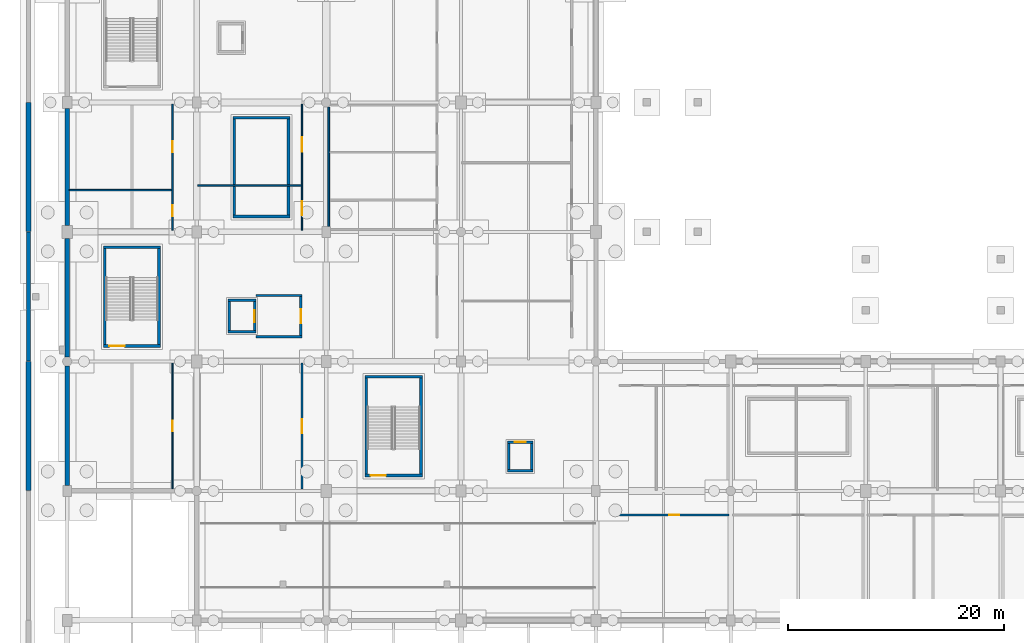
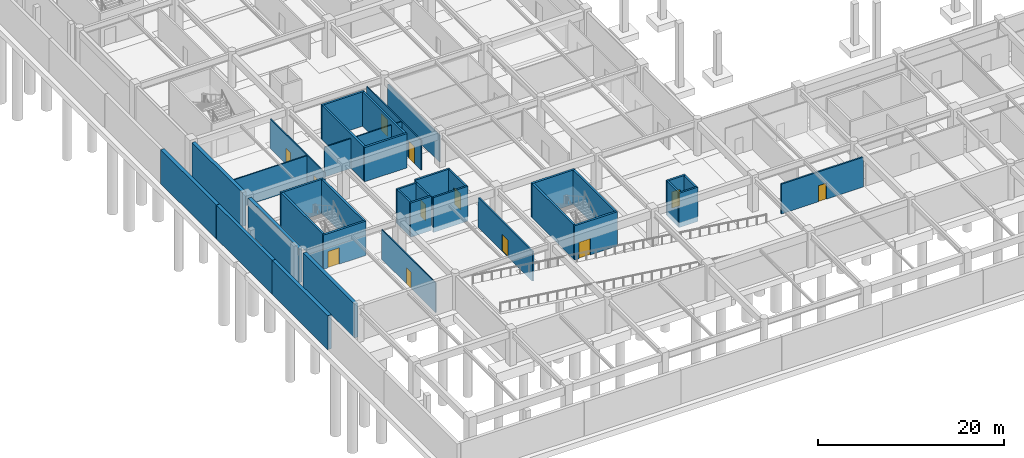
# One storey, part 23 of 56: 37 walls, 12 doors, 12 openings.
"""IFC4 building model written with IfcOpenShell, lengths in metres."""

from ifc_helpers import new_model, si_unit, direction, frame, frame_2d, origin, place, context, subcontext, project, spatial, rectangle, extrude, material, layer, layer_set, type_object, element, fill, save


model = new_model("IFC4")

# Units and contexts
model_context = context("Model", 3, precision=1e-05, world=origin(), true_north=direction((0.0, 1.0)))
body_context = subcontext(model_context, "Body", "Model", "MODEL_VIEW")
ifc_project = project(units=[si_unit("LENGTHUNIT", "METRE"), si_unit("AREAUNIT", "SQUARE_METRE"), si_unit("VOLUMEUNIT", "CUBIC_METRE"), si_unit("PLANEANGLEUNIT", "RADIAN"), si_unit("MASSUNIT", "GRAM", prefix="KILO")], contexts=[model_context])

# Site, building, storey
site_placement = place(None, origin())
site = spatial("IfcSite", under=ifc_project, at=site_placement, CompositionType="ELEMENT")
building_placement = place(site_placement, origin())
building = spatial("IfcBuilding", under=site, at=building_placement, Name="Kazenohara Klinker Stadium", CompositionType="ELEMENT")
storey_placement = place(building_placement, frame((0.0, 0.0, -4.800048828125)))
storey = spatial("IfcBuildingStorey", under=building, at=storey_placement, Name="B01", CompositionType="ELEMENT", Elevation=-4.800048828125)

# Walls
ifc_material_1 = material(Name="Concrete C40/50", Category="concrete")
ifc_layer_1 = layer(ifc_material_1, 0.39990234375)
ifc_layer_set_1 = layer_set([ifc_layer_1], Name="Concrete C40/50")
wall_type_1 = type_object("IfcWallType", Name="WAL-B01-PLINTH400", PredefinedType="USERDEFINED", material=ifc_layer_set_1)
wall_1_placement = place(storey_placement, frame((-3.580078125, 36.02001953125, 0.0), z_axis=(0.0, 0.0, 1.0), x_axis=(0.0, 1.0, 0.0)))
element("IfcWall", 1, at=wall_1_placement, inside=storey, type_object=wall_type_1, Name="Street plinth retaining wall RW04 West-04", ObjectType="RETAINING WALL", PredefinedType="USERDEFINED", context=body_context, shape_type="SweptSolid", body=[
    extrude(rectangle(XDim=11.9599609375, YDim=0.39990234375, at=frame_2d((5.97998046875, 0.0))), origin(), (0.0, 0.0, 1.0), 4.4599609375),
])
ifc_layer_2 = layer(ifc_material_1, 0.43994140625)
ifc_layer_set_2 = layer_set([ifc_layer_2], Name="Concrete C40/50")
wall_type_2 = type_object("IfcWallType", Name="WAL-B01-PLINTH440", PredefinedType="USERDEFINED", material=ifc_layer_set_2)
for number, where, z_axis, x_axis, name in (
    (2, (-3.580078125, 24.02001953125, 0.0), (0.0, 0.0, 1.0), (0.0, 1.0, 0.0), "Street plinth retaining wall RW03 West-03"),
    (3, (-3.580078125, 48.02001953125, 0.0), (0.0, 0.0, 1.0), (0.0, 1.0, 0.0), "Street plinth retaining wall RW03 West-05"),
):
    element("IfcWall", number, at=place(storey_placement, frame(where, z_axis=z_axis, x_axis=x_axis)), inside=storey, type_object=wall_type_2, Name=name, ObjectType="RETAINING WALL", PredefinedType="USERDEFINED", context=body_context, shape_type="SweptSolid", body=[
        extrude(rectangle(XDim=11.9599609375, YDim=0.43994140625, at=frame_2d((5.97998046875, 0.0))), origin(), (0.0, 0.0, 1.0), 4.4599609375),
    ])
ifc_layer_3 = layer(ifc_material_1, 0.3798828125)
ifc_layer_set_3 = layer_set([ifc_layer_3], Name="Concrete C40/50")
wall_type_3 = type_object("IfcWallType", Name="WAL-B01-RET380", PredefinedType="STANDARD", material=ifc_layer_set_3)
wall_2_placement = place(storey_placement, frame((0.0, 36.428955078125, 0.0), z_axis=(0.0, 0.0, 1.0), x_axis=(0.0, 1.0, 0.0)))
element("IfcWall", 4, at=wall_2_placement, inside=storey, type_object=wall_type_3, Name="Basement perimeter retaining wall RW02 Y-00-03", PredefinedType="STANDARD", context=body_context, shape_type="SweptSolid", body=[
    extrude(rectangle(XDim=10.967041015625, YDim=0.3798828125, at=frame_2d((5.4833984375, 0.0))), origin(), (0.0, 0.0, 1.0), 4.4599609375),
])
ifc_layer_4 = layer(ifc_material_1, 0.419921875)
ifc_layer_set_4 = layer_set([ifc_layer_4], Name="Concrete C40/50")
wall_type_4 = type_object("IfcWallType", Name="WAL-B01-RET420", PredefinedType="STANDARD", material=ifc_layer_set_4)
wall_3_placement = place(storey_placement, frame((0.0, 24.50390625, 0.0), z_axis=(0.0, 0.0, 1.0), x_axis=(0.0, 1.0, 0.0)))
element("IfcWall", 5, at=wall_3_placement, inside=storey, type_object=wall_type_4, Name="Basement perimeter retaining wall RW01 Y-00-02", PredefinedType="STANDARD", context=body_context, shape_type="SweptSolid", body=[
    extrude(rectangle(XDim=11.067138671875, YDim=0.419921875, at=frame_2d((5.53369140625, 0.0))), origin(), (0.0, 0.0, 1.0), 4.4599609375),
])
wall_4_placement = place(storey_placement, frame((0.0, 48.60400390625, 0.0), z_axis=(0.0, 0.0, 1.0), x_axis=(0.0, 1.0, 0.0)))
element("IfcWall", 6, at=wall_4_placement, inside=storey, type_object=wall_type_4, Name="Basement perimeter retaining wall RW01 Y-00-04", PredefinedType="STANDARD", context=body_context, shape_type="SweptSolid", body=[
    extrude(rectangle(XDim=10.842041015625, YDim=0.419921875, at=frame_2d((5.4208984375, 0.0))), origin(), (0.0, 0.0, 1.0), 4.4599609375),
])
ifc_layer_5 = layer(ifc_material_1, 0.22998046875)
ifc_layer_set_5 = layer_set([ifc_layer_5], Name="Concrete C40/50")
wall_type_5 = type_object("IfcWallType", Name="WAL-CORE-230", PredefinedType="SHEAR", material=ifc_layer_set_5)
for number, where, z_axis, x_axis, name in (
    (7, (14.919921875, 38.735107421875, -0.64990234375), (0.0, 0.0, 1.0), (1.0, 0.0, 0.0), "Elevator shaft wall LF01 B01 South"),
    (8, (14.919921875, 41.6650390625, -0.64990234375), (0.0, 0.0, 1.0), (1.0, 0.0, 0.0), "Elevator shaft wall LF01 B01 North"),
):
    element("IfcWall", number, at=place(storey_placement, frame(where, z_axis=z_axis, x_axis=x_axis)), inside=storey, type_object=wall_type_5, Name=name, PredefinedType="SHEAR", context=body_context, shape_type="SweptSolid", body=[
        extrude(rectangle(XDim=2.56005859375, YDim=0.22998046875, at=frame_2d((1.280029296875, 0.0))), origin(), (0.0, 0.0, 1.0), 4.5),
    ])
wall_5_placement = place(storey_placement, frame((15.034912109375, 38.85009765625, -0.64990234375), z_axis=(0.0, 0.0, 1.0), x_axis=(0.0, 1.0, 0.0)))
element("IfcWall", 9, at=wall_5_placement, inside=storey, type_object=wall_type_5, Name="Elevator shaft wall LF01 B01 West", PredefinedType="SHEAR", context=body_context, shape_type="SweptSolid", body=[
    extrude(rectangle(XDim=2.699951171875, YDim=0.22998046875, at=frame_2d((1.35009765625, 0.0))), origin(), (0.0, 0.0, 1.0), 4.5),
])

# Wall, opening, door
wall_6_placement = place(storey_placement, frame((17.364990234375, 38.85009765625, -0.64990234375), z_axis=(0.0, 0.0, 1.0), x_axis=(0.0, 1.0, 0.0)))
wall_6 = element("IfcWall", 10, at=wall_6_placement, inside=storey, type_object=wall_type_5, Name="Elevator shaft wall LF01 B01 East", PredefinedType="SHEAR", context=body_context, shape_type="SweptSolid", body=[
    extrude(rectangle(XDim=2.699951171875, YDim=0.22998046875, at=frame_2d((1.35009765625, 0.0))), origin(), (0.0, 0.0, 1.0), 4.5),
])
opening_1_placement = place(wall_6_placement, frame((0.800048828125, 0.0, 0.64990234375)))
opening_1 = element("IfcOpeningElement", 11, at=opening_1_placement, cuts=wall_6, Name="Opening LD01", PredefinedType="OPENING", context=body_context, shape_type="SweptSolid", body=[
    extrude(rectangle(XDim=1.10009765625, YDim=2.14990234375, at=frame_2d((0.550048828125, 1.074951171875))), frame((0.0, 0.125, 0.0), z_axis=(0.0, -1.0, 0.0), x_axis=(1.0, 0.0, 0.0)), (0.0, 0.0, 1.0), 0.25),
])
ifc_material_2 = material(Name="Stainless steel fire-rated sliding landing door", Category="steel")
door_type_1 = type_object("IfcDoorType", Name="DR-LD01-1100x2150", OperationType="NOTDEFINED", PredefinedType="DOOR", material=ifc_material_2)
door_1_placement = place(opening_1_placement, origin())
door_1 = element("IfcDoor", 12, at=door_1_placement, inside=storey, type_object=door_type_1, Name="Elevator sliding landing door LF01-B01", OperationType="DOUBLE_DOOR_SLIDING", OverallHeight=2.14990234375, OverallWidth=1.10009765625, PredefinedType="DOOR", context=body_context, shape_type="SweptSolid", body=[
    extrude(rectangle(XDim=1.10009765625, YDim=2.14990234375, at=frame_2d((0.550048828125, 1.074951171875))), frame((0.0, 0.02490234375, 0.0), z_axis=(0.0, -1.0, 0.0), x_axis=(1.0, 0.0, 0.0)), (0.0, 0.0, 1.0), 0.050048828125),
])
fill(opening_1, door_1)

# Wall
wall_7_placement = place(storey_placement, frame((40.820068359375, 25.885009765625, -0.64990234375), z_axis=(0.0, 0.0, 1.0), x_axis=(1.0, 0.0, 0.0)))
element("IfcWall", 13, at=wall_7_placement, inside=storey, type_object=wall_type_5, Name="Elevator shaft wall LP03 B01 South", PredefinedType="SHEAR", context=body_context, shape_type="SweptSolid", body=[
    extrude(rectangle(XDim=2.35986328125, YDim=0.22998046875, at=frame_2d((1.179931640625, 0.0))), origin(), (0.0, 0.0, 1.0), 4.5),
])

# Wall, opening, door
wall_8_placement = place(storey_placement, frame((40.820068359375, 28.514892578125, -0.64990234375), z_axis=(0.0, 0.0, 1.0), x_axis=(1.0, 0.0, 0.0)))
wall_8 = element("IfcWall", 14, at=wall_8_placement, inside=storey, type_object=wall_type_5, Name="Elevator shaft wall LP03 B01 North", PredefinedType="SHEAR", context=body_context, shape_type="SweptSolid", body=[
    extrude(rectangle(XDim=2.35986328125, YDim=0.22998046875, at=frame_2d((1.179931640625, 0.0))), origin(), (0.0, 0.0, 1.0), 4.5),
])
opening_2_placement = place(wall_8_placement, frame((0.679931640625, 0.0, 0.64990234375)))
opening_2 = element("IfcOpeningElement", 15, at=opening_2_placement, cuts=wall_8, Name="Opening LD02", PredefinedType="OPENING", context=body_context, shape_type="SweptSolid", body=[
    extrude(rectangle(XDim=1.0, YDim=2.14990234375, at=frame_2d((0.5, 1.074951171875))), frame((0.0, 0.125, 0.0), z_axis=(0.0, -1.0, 0.0), x_axis=(1.0, 0.0, 0.0)), (0.0, 0.0, 1.0), 0.25),
])
ifc_material_3 = material(Name="Stainless steel sliding landing door", Category="steel")
door_type_2 = type_object("IfcDoorType", Name="DR-LD02-1000x2150", OperationType="NOTDEFINED", PredefinedType="DOOR", material=ifc_material_3)
door_2_placement = place(opening_2_placement, origin())
door_2 = element("IfcDoor", 16, at=door_2_placement, inside=storey, type_object=door_type_2, Name="Elevator sliding landing door LP03-B01", OperationType="DOUBLE_DOOR_SLIDING", OverallHeight=2.14990234375, OverallWidth=1.0, PredefinedType="DOOR", context=body_context, shape_type="SweptSolid", body=[
    extrude(rectangle(XDim=1.0, YDim=2.14990234375, at=frame_2d((0.5, 1.074951171875))), frame((0.0, 0.02490234375, 0.0), z_axis=(0.0, -1.0, 0.0), x_axis=(1.0, 0.0, 0.0)), (0.0, 0.0, 1.0), 0.050048828125),
])
fill(opening_2, door_2)

# Walls
for number, where, z_axis, x_axis, name in (
    (17, (40.93505859375, 26.0, -0.64990234375), (0.0, 0.0, 1.0), (0.0, 1.0, 0.0), "Elevator shaft wall LP03 B01 West"),
    (18, (43.06494140625, 26.0, -0.64990234375), (0.0, 0.0, 1.0), (0.0, 1.0, 0.0), "Elevator shaft wall LP03 B01 East"),
):
    element("IfcWall", number, at=place(storey_placement, frame(where, z_axis=z_axis, x_axis=x_axis)), inside=storey, type_object=wall_type_5, Name=name, PredefinedType="SHEAR", context=body_context, shape_type="SweptSolid", body=[
        extrude(rectangle(XDim=2.39990234375, YDim=0.22998046875, at=frame_2d((1.199951171875, 0.0))), origin(), (0.0, 0.0, 1.0), 4.5),
    ])

# Wall, opening, door
ifc_layer_6 = layer(ifc_material_1, 0.25)
ifc_layer_set_6 = layer_set([ifc_layer_6], Name="Concrete C40/50")
wall_type_6 = type_object("IfcWallType", Name="WAL-CORE-250", PredefinedType="SHEAR", material=ifc_layer_set_6)
wall_9_placement = place(storey_placement, frame((3.360107421875, 37.425048828125, 0.0), z_axis=(0.0, 0.0, 1.0), x_axis=(1.0, 0.0, 0.0)))
wall_9 = element("IfcWall", 19, at=wall_9_placement, inside=storey, type_object=wall_type_6, Name="Stairwell shear wall ST01 B01 South", PredefinedType="SHEAR", context=body_context, shape_type="SweptSolid", body=[
    extrude(rectangle(XDim=5.27978515625, YDim=0.25, at=frame_2d((2.639892578125, 0.0))), origin(), (0.0, 0.0, 1.0), 4.5),
])
opening_3_placement = place(wall_9_placement, frame((0.550048828125, 0.0, 0.0)))
opening_3 = element("IfcOpeningElement", 20, at=opening_3_placement, cuts=wall_9, Name="Opening SD01", PredefinedType="OPENING", context=body_context, shape_type="SweptSolid", body=[
    extrude(rectangle(XDim=1.39990234375, YDim=2.14990234375, at=frame_2d((0.699951171875, 1.074951171875))), frame((0.0, 0.135009765625, 0.0), z_axis=(0.0, -1.0, 0.0), x_axis=(1.0, 0.0, 0.0)), (0.0, 0.0, 1.0), 0.27001953125),
])
ifc_material_4 = material(Name="Flush painted steel fire door leaf", Category="steel")
door_type_3 = type_object("IfcDoorType", Name="DR-STR-1400x2150", OperationType="NOTDEFINED", PredefinedType="DOOR", material=ifc_material_4)
door_3_placement = place(opening_3_placement, origin())
door_3 = element("IfcDoor", 21, at=door_3_placement, inside=storey, type_object=door_type_3, Name="Escape stairwell fire door ST01-B01", OperationType="SINGLE_SWING_LEFT", OverallHeight=2.14990234375, OverallWidth=1.39990234375, PredefinedType="DOOR", context=body_context, shape_type="SweptSolid", body=[
    extrude(rectangle(XDim=1.39990234375, YDim=2.14990234375, at=frame_2d((0.699951171875, 1.074951171875))), frame((0.0, 0.02490234375, 0.0), z_axis=(0.0, -1.0, 0.0), x_axis=(1.0, 0.0, 0.0)), (0.0, 0.0, 1.0), 0.050048828125),
])
fill(opening_3, door_3)

# Walls
wall_10_placement = place(storey_placement, frame((3.360107421875, 46.574951171875, 0.0), z_axis=(0.0, 0.0, 1.0), x_axis=(1.0, 0.0, 0.0)))
element("IfcWall", 22, at=wall_10_placement, inside=storey, type_object=wall_type_6, Name="Stairwell shear wall ST01 B01 North", PredefinedType="SHEAR", context=body_context, shape_type="SweptSolid", body=[
    extrude(rectangle(XDim=5.27978515625, YDim=0.25, at=frame_2d((2.639892578125, 0.0))), origin(), (0.0, 0.0, 1.0), 4.5),
])
for number, where, z_axis, x_axis, name in (
    (23, (3.485107421875, 37.550048828125, 0.0), (0.0, 0.0, 1.0), (0.0, 1.0, 0.0), "Stairwell shear wall ST01 B01 West"),
    (24, (8.514892578125, 37.550048828125, 0.0), (0.0, 0.0, 1.0), (0.0, 1.0, 0.0), "Stairwell shear wall ST01 B01 East"),
):
    element("IfcWall", number, at=place(storey_placement, frame(where, z_axis=z_axis, x_axis=x_axis)), inside=storey, type_object=wall_type_6, Name=name, PredefinedType="SHEAR", context=body_context, shape_type="SweptSolid", body=[
        extrude(rectangle(XDim=8.89990234375, YDim=0.25, at=frame_2d((4.449951171875, 0.0))), origin(), (0.0, 0.0, 1.0), 4.5),
    ])

# Wall, opening, door
wall_11_placement = place(storey_placement, frame((27.580078125, 25.425048828125, 0.0), z_axis=(0.0, 0.0, 1.0), x_axis=(1.0, 0.0, 0.0)))
wall_11 = element("IfcWall", 25, at=wall_11_placement, inside=storey, type_object=wall_type_6, Name="Stairwell shear wall ST07 B01 South", PredefinedType="SHEAR", context=body_context, shape_type="SweptSolid", body=[
    extrude(rectangle(XDim=5.33984375, YDim=0.25, at=frame_2d((2.669921875, 0.0))), origin(), (0.0, 0.0, 1.0), 4.5),
])
opening_4_placement = place(wall_11_placement, frame((0.550048828125, 0.0, 0.0)))
opening_4 = element("IfcOpeningElement", 26, at=opening_4_placement, cuts=wall_11, Name="Opening SD01", PredefinedType="OPENING", context=body_context, shape_type="SweptSolid", body=[
    extrude(rectangle(XDim=1.39990234375, YDim=2.14990234375, at=frame_2d((0.699951171875, 1.074951171875))), frame((0.0, 0.135009765625, 0.0), z_axis=(0.0, -1.0, 0.0), x_axis=(1.0, 0.0, 0.0)), (0.0, 0.0, 1.0), 0.27001953125),
])
door_4_placement = place(opening_4_placement, origin())
door_4 = element("IfcDoor", 27, at=door_4_placement, inside=storey, type_object=door_type_3, Name="Escape stairwell fire door ST07-B01", OperationType="SINGLE_SWING_LEFT", OverallHeight=2.14990234375, OverallWidth=1.39990234375, PredefinedType="DOOR", context=body_context, shape_type="SweptSolid", body=[
    extrude(rectangle(XDim=1.39990234375, YDim=2.14990234375, at=frame_2d((0.699951171875, 1.074951171875))), frame((0.0, 0.02490234375, 0.0), z_axis=(0.0, -1.0, 0.0), x_axis=(1.0, 0.0, 0.0)), (0.0, 0.0, 1.0), 0.050048828125),
])
fill(opening_4, door_4)

# Walls
wall_12_placement = place(storey_placement, frame((27.580078125, 34.574951171875, 0.0), z_axis=(0.0, 0.0, 1.0), x_axis=(1.0, 0.0, 0.0)))
element("IfcWall", 28, at=wall_12_placement, inside=storey, type_object=wall_type_6, Name="Stairwell shear wall ST07 B01 North", PredefinedType="SHEAR", context=body_context, shape_type="SweptSolid", body=[
    extrude(rectangle(XDim=5.33984375, YDim=0.25, at=frame_2d((2.669921875, 0.0))), origin(), (0.0, 0.0, 1.0), 4.5),
])
for number, where, z_axis, x_axis, name in (
    (29, (27.705078125, 25.550048828125, 0.0), (0.0, 0.0, 1.0), (0.0, 1.0, 0.0), "Stairwell shear wall ST07 B01 West"),
    (30, (32.794921875, 25.550048828125, 0.0), (0.0, 0.0, 1.0), (0.0, 1.0, 0.0), "Stairwell shear wall ST07 B01 East"),
):
    element("IfcWall", number, at=place(storey_placement, frame(where, z_axis=z_axis, x_axis=x_axis)), inside=storey, type_object=wall_type_6, Name=name, PredefinedType="SHEAR", context=body_context, shape_type="SweptSolid", body=[
        extrude(rectangle(XDim=8.89990234375, YDim=0.25, at=frame_2d((4.449951171875, 0.0))), origin(), (0.0, 0.0, 1.0), 4.5),
    ])
for number, where, z_axis, x_axis, name in (
    (31, (15.360107421875, 49.425048828125, 0.0), (0.0, 0.0, 1.0), (1.0, 0.0, 0.0), "Stairwell shear wall ST13 B01 South"),
    (32, (15.360107421875, 58.574951171875, 0.0), (0.0, 0.0, 1.0), (1.0, 0.0, 0.0), "Stairwell shear wall ST13 B01 North"),
):
    element("IfcWall", number, at=place(storey_placement, frame(where, z_axis=z_axis, x_axis=x_axis)), inside=storey, type_object=wall_type_6, Name=name, PredefinedType="SHEAR", context=body_context, shape_type="SweptSolid", body=[
        extrude(rectangle(XDim=5.27978515625, YDim=0.25, at=frame_2d((2.639892578125, 0.0))), origin(), (0.0, 0.0, 1.0), 4.5),
    ])
for number, where, z_axis, x_axis, name in (
    (33, (15.485107421875, 49.550048828125, 0.0), (0.0, 0.0, 1.0), (0.0, 1.0, 0.0), "Stairwell shear wall ST13 B01 West"),
    (34, (20.514892578125, 49.550048828125, 0.0), (0.0, 0.0, 1.0), (0.0, 1.0, 0.0), "Stairwell shear wall ST13 B01 East"),
):
    element("IfcWall", number, at=place(storey_placement, frame(where, z_axis=z_axis, x_axis=x_axis)), inside=storey, type_object=wall_type_6, Name=name, PredefinedType="SHEAR", context=body_context, shape_type="SweptSolid", body=[
        extrude(rectangle(XDim=8.89990234375, YDim=0.25, at=frame_2d((4.449951171875, 0.0))), origin(), (0.0, 0.0, 1.0), 4.5),
    ])
ifc_layer_7 = layer(ifc_material_1, 0.219970703125)
ifc_layer_set_7 = layer_set([ifc_layer_7], Name="Concrete C40/50")
wall_type_7 = type_object("IfcWallType", Name="WAL-INT-FF220", PredefinedType="SOLIDWALL", material=ifc_layer_set_7)
for number, where, z_axis, x_axis, name in (
    (35, (17.47998046875, 38.2900390625, -0.64990234375), (0.0, 0.0, 1.0), (1.0, 0.0, 0.0), "Firefighting lobby wall LF01 B01 South"),
    (36, (17.47998046875, 42.110107421875, -0.64990234375), (0.0, 0.0, 1.0), (1.0, 0.0, 0.0), "Firefighting lobby wall LF01 B01 North"),
):
    element("IfcWall", number, at=place(storey_placement, frame(where, z_axis=z_axis, x_axis=x_axis)), inside=storey, type_object=wall_type_7, Name=name, PredefinedType="SOLIDWALL", context=body_context, shape_type="SweptSolid", body=[
        extrude(rectangle(XDim=4.2900390625, YDim=0.219970703125, at=frame_2d((2.14501953125, 0.0))), origin(), (0.0, 0.0, 1.0), 4.570068359375),
    ])

# Wall, opening, door
wall_13_placement = place(storey_placement, frame((21.659912109375, 38.39990234375, -0.64990234375), z_axis=(0.0, 0.0, 1.0), x_axis=(0.0, 1.0, 0.0)))
wall_13 = element("IfcWall", 37, at=wall_13_placement, inside=storey, type_object=wall_type_7, Name="Firefighting lobby front wall LF01 B01", PredefinedType="SOLIDWALL", context=body_context, shape_type="SweptSolid", body=[
    extrude(rectangle(XDim=3.60009765625, YDim=0.219970703125, at=frame_2d((1.800048828125, 0.0))), origin(), (0.0, 0.0, 1.0), 4.570068359375),
])
opening_5_placement = place(wall_13_placement, frame((1.14990234375, 0.0, 0.64990234375)))
opening_5 = element("IfcOpeningElement", 38, at=opening_5_placement, cuts=wall_13, Name="Opening FD01", PredefinedType="OPENING", context=body_context, shape_type="SweptSolid", body=[
    extrude(rectangle(XDim=1.300048828125, YDim=2.14990234375, at=frame_2d((0.64990234375, 1.074951171875))), frame((0.0, 0.1201171875, 0.0), z_axis=(0.0, -1.0, 0.0), x_axis=(1.0, 0.0, 0.0)), (0.0, 0.0, 1.0), 0.239990234375),
])
ifc_material_5 = material(Name="Smoke-sealed steel fire lobby door", Category="steel")
door_type_4 = type_object("IfcDoorType", Name="DR-FFL-1300x2150", OperationType="NOTDEFINED", PredefinedType="DOOR", material=ifc_material_5)
door_5_placement = place(opening_5_placement, origin())
door_5 = element("IfcDoor", 39, at=door_5_placement, inside=storey, type_object=door_type_4, Name="Firefighting lobby smoke-sealed door LF01-B01", OperationType="SINGLE_SWING_LEFT", OverallHeight=2.14990234375, OverallWidth=1.300048828125, PredefinedType="DOOR", context=body_context, shape_type="SweptSolid", body=[
    extrude(rectangle(XDim=1.300048828125, YDim=2.14990234375, at=frame_2d((0.64990234375, 1.074951171875))), frame((0.0, 0.02490234375, 0.0), z_axis=(0.0, -1.0, 0.0), x_axis=(1.0, 0.0, 0.0)), (0.0, 0.0, 1.0), 0.050048828125),
])
fill(opening_5, door_5)

ifc_material_6 = material(Name="Fire-rated gypsum board on acoustic studs", Category="gypsum")
ifc_layer_8 = layer(ifc_material_6, 0.110107421875)
ifc_layer_set_8 = layer_set([ifc_layer_8], Name="Fire-rated gypsum board on acoustic studs")
wall_type_8 = type_object("IfcWallType", Name="WAL-INT-P110", PredefinedType="PARTITIONING", material=ifc_layer_set_8)
wall_14_placement = place(storey_placement, frame((9.760009765625, 24.2119140625, 0.0), z_axis=(0.0, 0.0, 1.0), x_axis=(0.0, 1.0, 0.0)))
wall_14 = element("IfcWall", 40, at=wall_14_placement, inside=storey, type_object=wall_type_8, Name="Interior partition wall PT01 SPC-B01-00-02-1-1", PredefinedType="PARTITIONING", context=body_context, shape_type="SweptSolid", body=[
    extrude(rectangle(XDim=11.628173828125, YDim=0.110107421875, at=frame_2d((5.81396484375, 0.0))), origin(), (0.0, 0.0, 1.0), 3.920166015625),
])
opening_6_placement = place(wall_14_placement, frame((5.298095703125, 0.0, 0.0)))
opening_6 = element("IfcOpeningElement", 41, at=opening_6_placement, cuts=wall_14, Name="Opening ID04", PredefinedType="OPENING", context=body_context, shape_type="SweptSolid", body=[
    extrude(rectangle(XDim=0.97998046875, YDim=2.10009765625, at=frame_2d((0.489990234375, 1.050048828125))), frame((0.0, 0.06494140625, 0.0), z_axis=(0.0, -1.0, 0.0), x_axis=(1.0, 0.0, 0.0)), (0.0, 0.0, 1.0), 0.130126953125),
])
ifc_material_7 = material(Name="Solid-core Hokkaido oak fire door", Category="wood")
door_type_5 = type_object("IfcDoorType", Name="DR-INT-04", OperationType="NOTDEFINED", PredefinedType="DOOR", material=ifc_material_7)
door_6_placement = place(opening_6_placement, origin())
door_6 = element("IfcDoor", 42, at=door_6_placement, inside=storey, type_object=door_type_5, Name="Interior door ID04 First-Team Athlete Changing Room B01-0002A", OperationType="SINGLE_SWING_LEFT", OverallHeight=2.10009765625, OverallWidth=0.97998046875, PredefinedType="DOOR", context=body_context, shape_type="SweptSolid", body=[
    extrude(rectangle(XDim=0.97998046875, YDim=2.10009765625, at=frame_2d((0.489990234375, 1.050048828125))), frame((0.0, 0.02490234375, 0.0), z_axis=(0.0, -1.0, 0.0), x_axis=(1.0, 0.0, 0.0)), (0.0, 0.0, 1.0), 0.050048828125),
])
fill(opening_6, door_6)

# Wall, openings, doors
ifc_layer_9 = layer(ifc_material_6, 0.1201171875)
ifc_layer_set_9 = layer_set([ifc_layer_9], Name="Fire-rated gypsum board on acoustic studs")
wall_type_9 = type_object("IfcWallType", Name="WAL-INT-P120", PredefinedType="PARTITIONING", material=ifc_layer_set_9)
wall_15_placement = place(storey_placement, frame((21.760009765625, 48.159912109375, 0.0), z_axis=(0.0, 0.0, 1.0), x_axis=(0.0, 1.0, 0.0)))
wall_15 = element("IfcWall", 43, at=wall_15_placement, inside=storey, type_object=wall_type_9, Name="Interior partition wall PT02 SPC-B01-01-04-1-1", PredefinedType="PARTITIONING", context=body_context, shape_type="SweptSolid", body=[
    extrude(rectangle(XDim=11.68017578125, YDim=0.1201171875, at=frame_2d((5.840087890625, 0.0))), origin(), (0.0, 0.0, 1.0), 3.920166015625),
])
opening_7_placement = place(wall_15_placement, frame((1.377197265625, 0.0, 0.0)))
opening_7 = element("IfcOpeningElement", 44, at=opening_7_placement, cuts=wall_15, Name="Opening ID15", PredefinedType="OPENING", context=body_context, shape_type="SweptSolid", body=[
    extrude(rectangle(XDim=1.300048828125, YDim=2.239990234375, at=frame_2d((0.64990234375, 1.1201171875))), frame((0.0, 0.070068359375, 0.0), z_axis=(0.0, -1.0, 0.0), x_axis=(1.0, 0.0, 0.0)), (0.0, 0.0, 1.0), 0.14013671875),
])
opening_8_placement = place(wall_15_placement, frame((7.2822265625, 0.0, 0.0)))
opening_8 = element("IfcOpeningElement", 45, at=opening_8_placement, cuts=wall_15, Name="Opening ID16", PredefinedType="OPENING", context=body_context, shape_type="SweptSolid", body=[
    extrude(rectangle(XDim=1.330078125, YDim=2.219970703125, at=frame_2d((0.6650390625, 1.10986328125))), frame((0.0, 0.070068359375, 0.0), z_axis=(0.0, -1.0, 0.0), x_axis=(1.0, 0.0, 0.0)), (0.0, 0.0, 1.0), 0.14013671875),
])
door_type_6 = type_object("IfcDoorType", Name="DR-INT-15", OperationType="NOTDEFINED", PredefinedType="DOOR", material=ifc_material_7)
door_7_placement = place(opening_7_placement, origin())
door_7 = element("IfcDoor", 46, at=door_7_placement, inside=storey, type_object=door_type_6, Name="Interior door ID15 Snow-Melt Hydronic Chiller Plant B01-0104A", OperationType="SINGLE_SWING_RIGHT", OverallHeight=2.239990234375, OverallWidth=1.300048828125, PredefinedType="DOOR", context=body_context, shape_type="SweptSolid", body=[
    extrude(rectangle(XDim=1.300048828125, YDim=2.239990234375, at=frame_2d((0.64990234375, 1.1201171875))), frame((0.0, 0.02490234375, 0.0), z_axis=(0.0, -1.0, 0.0), x_axis=(1.0, 0.0, 0.0)), (0.0, 0.0, 1.0), 0.050048828125),
])
fill(opening_7, door_7)
door_type_7 = type_object("IfcDoorType", Name="DR-INT-16", OperationType="NOTDEFINED", PredefinedType="DOOR", material=ifc_material_7)
door_8_placement = place(opening_8_placement, origin())
door_8 = element("IfcDoor", 47, at=door_8_placement, inside=storey, type_object=door_type_7, Name="Interior door ID16 First-Team Athlete Changing Room B01-0104B", OperationType="SINGLE_SWING_LEFT", OverallHeight=2.219970703125, OverallWidth=1.330078125, PredefinedType="DOOR", context=body_context, shape_type="SweptSolid", body=[
    extrude(rectangle(XDim=1.330078125, YDim=2.219970703125, at=frame_2d((0.6650390625, 1.10986328125))), frame((0.0, 0.02490234375, 0.0), z_axis=(0.0, -1.0, 0.0), x_axis=(1.0, 0.0, 0.0)), (0.0, 0.0, 1.0), 0.050048828125),
])
fill(opening_8, door_8)

ifc_layer_10 = layer(ifc_material_6, 0.139892578125)
ifc_layer_set_10 = layer_set([ifc_layer_10], Name="Fire-rated gypsum board on acoustic studs")
wall_type_10 = type_object("IfcWallType", Name="WAL-INT-P140", PredefinedType="PARTITIONING", material=ifc_layer_set_10)
wall_16_placement = place(storey_placement, frame((9.760009765625, 48.159912109375, 0.0), z_axis=(0.0, 0.0, 1.0), x_axis=(0.0, 1.0, 0.0)))
wall_16 = element("IfcWall", 48, at=wall_16_placement, inside=storey, type_object=wall_type_10, Name="Interior partition wall PT03 SPC-B01-00-04-1-1", PredefinedType="PARTITIONING", context=body_context, shape_type="SweptSolid", body=[
    extrude(rectangle(XDim=11.68017578125, YDim=0.139892578125, at=frame_2d((5.840087890625, 0.0))), origin(), (0.0, 0.0, 1.0), 3.920166015625),
])
opening_9_placement = place(wall_16_placement, frame((1.317138671875, 0.0, 0.0)))
opening_9 = element("IfcOpeningElement", 49, at=opening_9_placement, cuts=wall_16, Name="Opening ID05", PredefinedType="OPENING", context=body_context, shape_type="SweptSolid", body=[
    extrude(rectangle(XDim=1.0, YDim=2.139892578125, at=frame_2d((0.5, 1.06982421875))), frame((0.0, 0.080078125, 0.0), z_axis=(0.0, -1.0, 0.0), x_axis=(1.0, 0.0, 0.0)), (0.0, 0.0, 1.0), 0.159912109375),
])
opening_10_placement = place(wall_16_placement, frame((7.22216796875, 0.0, 0.0)))
opening_10 = element("IfcOpeningElement", 50, at=opening_10_placement, cuts=wall_16, Name="Opening ID06", PredefinedType="OPENING", context=body_context, shape_type="SweptSolid", body=[
    extrude(rectangle(XDim=1.030029296875, YDim=2.1201171875, at=frame_2d((0.51513671875, 1.06005859375))), frame((0.0, 0.080078125, 0.0), z_axis=(0.0, -1.0, 0.0), x_axis=(1.0, 0.0, 0.0)), (0.0, 0.0, 1.0), 0.159912109375),
])
door_type_8 = type_object("IfcDoorType", Name="DR-INT-05", OperationType="NOTDEFINED", PredefinedType="DOOR", material=ifc_material_7)
door_9_placement = place(opening_9_placement, origin())
door_9 = element("IfcDoor", 51, at=door_9_placement, inside=storey, type_object=door_type_8, Name="Interior door ID05 District Heating Substation Plant B01-0004A", OperationType="SINGLE_SWING_RIGHT", OverallHeight=2.139892578125, OverallWidth=1.0, PredefinedType="DOOR", context=body_context, shape_type="SweptSolid", body=[
    extrude(rectangle(XDim=1.0, YDim=2.139892578125, at=frame_2d((0.5, 1.06982421875))), frame((0.0, 0.02490234375, 0.0), z_axis=(0.0, -1.0, 0.0), x_axis=(1.0, 0.0, 0.0)), (0.0, 0.0, 1.0), 0.050048828125),
])
fill(opening_9, door_9)
door_type_9 = type_object("IfcDoorType", Name="DR-INT-06", OperationType="NOTDEFINED", PredefinedType="DOOR", material=ifc_material_7)
door_10_placement = place(opening_10_placement, origin())
door_10 = element("IfcDoor", 52, at=door_10_placement, inside=storey, type_object=door_type_9, Name="Interior door ID06 Sports Hydrotherapy Recovery Clinic B01-0004B", OperationType="SINGLE_SWING_LEFT", OverallHeight=2.1201171875, OverallWidth=1.030029296875, PredefinedType="DOOR", context=body_context, shape_type="SweptSolid", body=[
    extrude(rectangle(XDim=1.030029296875, YDim=2.1201171875, at=frame_2d((0.51513671875, 1.06005859375))), frame((0.0, 0.02490234375, 0.0), z_axis=(0.0, -1.0, 0.0), x_axis=(1.0, 0.0, 0.0)), (0.0, 0.0, 1.0), 0.050048828125),
])
fill(opening_10, door_10)

# Walls
wall_17_placement = place(storey_placement, frame((12.080078125, 52.294677734375, 0.0), z_axis=(0.0, 0.0, 1.0), x_axis=(1.0, 0.0, 0.0)))
element("IfcWall", 53, at=wall_17_placement, inside=storey, type_object=wall_type_10, Name="Interior partition wall PT03 SPC-B01-01-04-1-2", PredefinedType="PARTITIONING", context=body_context, shape_type="SweptSolid", body=[
    extrude(rectangle(XDim=9.614990234375, YDim=0.139892578125, at=frame_2d((4.8076171875, 0.0))), origin(), (0.0, 0.0, 1.0), 3.920166015625),
])
ifc_layer_11 = layer(ifc_material_6, 0.14990234375)
ifc_layer_set_11 = layer_set([ifc_layer_11], Name="Fire-rated gypsum board on acoustic studs")
wall_type_11 = type_object("IfcWallType", Name="WAL-INT-P150", PredefinedType="PARTITIONING", material=ifc_layer_set_11)
wall_18_placement = place(storey_placement, frame((0.2119140625, 51.874267578125, 0.0), z_axis=(0.0, 0.0, 1.0), x_axis=(1.0, 0.0, 0.0)))
element("IfcWall", 54, at=wall_18_placement, inside=storey, type_object=wall_type_11, Name="Interior partition wall PT04 SPC-B01-00-04-1-2", PredefinedType="PARTITIONING", context=body_context, shape_type="SweptSolid", body=[
    extrude(rectangle(XDim=9.47314453125, YDim=0.14990234375, at=frame_2d((4.736572265625, 0.0))), origin(), (0.0, 0.0, 1.0), 3.920166015625),
])
wall_19_placement = place(storey_placement, frame((24.239990234375, 48.50390625, 0.0), z_axis=(0.0, 0.0, 1.0), x_axis=(0.0, 1.0, 0.0)))
element("IfcWall", 55, at=wall_19_placement, inside=storey, type_object=wall_type_11, Name="Interior partition wall PT04 SPC-B01-02-04-1-3", PredefinedType="PARTITIONING", context=body_context, shape_type="SweptSolid", body=[
    extrude(rectangle(XDim=11.067138671875, YDim=0.14990234375, at=frame_2d((5.53369140625, 0.0))), origin(), (0.0, 0.0, 1.0), 3.52001953125),
])

# Wall, opening, door
ifc_layer_12 = layer(ifc_material_6, 0.18994140625)
ifc_layer_set_12 = layer_set([ifc_layer_12], Name="Fire-rated gypsum board on acoustic studs")
wall_type_12 = type_object("IfcWallType", Name="WAL-INT-P190", PredefinedType="PARTITIONING", material=ifc_layer_set_12)
wall_20_placement = place(storey_placement, frame((21.760009765625, 24.159912109375, 0.0), z_axis=(0.0, 0.0, 1.0), x_axis=(0.0, 1.0, 0.0)))
wall_20 = element("IfcWall", 56, at=wall_20_placement, inside=storey, type_object=wall_type_12, Name="Interior partition wall PT06 SPC-B01-01-02-1-1", PredefinedType="PARTITIONING", context=body_context, shape_type="SweptSolid", body=[
    extrude(rectangle(XDim=11.68017578125, YDim=0.18994140625, at=frame_2d((5.840087890625, 0.0))), origin(), (0.0, 0.0, 1.0), 3.920166015625),
])
opening_11_placement = place(wall_20_placement, frame((5.205078125, 0.0, 0.0)))
opening_11 = element("IfcOpeningElement", 57, at=opening_11_placement, cuts=wall_20, Name="Opening ID14", PredefinedType="OPENING", context=body_context, shape_type="SweptSolid", body=[
    extrude(rectangle(XDim=1.27001953125, YDim=2.199951171875, at=frame_2d((0.635009765625, 1.10009765625))), frame((0.0, 0.10498046875, 0.0), z_axis=(0.0, -1.0, 0.0), x_axis=(1.0, 0.0, 0.0)), (0.0, 0.0, 1.0), 0.2099609375),
])
door_type_10 = type_object("IfcDoorType", Name="DR-INT-14", OperationType="NOTDEFINED", PredefinedType="DOOR", material=ifc_material_7)
door_11_placement = place(opening_11_placement, origin())
door_11 = element("IfcDoor", 58, at=door_11_placement, inside=storey, type_object=door_type_10, Name="Interior door ID14 Match Officials Dressing Room B01-0102A", OperationType="SINGLE_SWING_LEFT", OverallHeight=2.199951171875, OverallWidth=1.27001953125, PredefinedType="DOOR", context=body_context, shape_type="SweptSolid", body=[
    extrude(rectangle(XDim=1.27001953125, YDim=2.199951171875, at=frame_2d((0.635009765625, 1.10009765625))), frame((0.0, 0.02490234375, 0.0), z_axis=(0.0, -1.0, 0.0), x_axis=(1.0, 0.0, 0.0)), (0.0, 0.0, 1.0), 0.050048828125),
])
fill(opening_11, door_11)

wall_21_placement = place(storey_placement, frame((51.169921875, 21.760009765625, 0.0), z_axis=(0.0, 0.0, 1.0), x_axis=(1.0, 0.0, 0.0)))
wall_21 = element("IfcWall", 59, at=wall_21_placement, inside=storey, type_object=wall_type_12, Name="Interior partition wall PT06 SPC-B01-04-01-1-1", PredefinedType="PARTITIONING", context=body_context, shape_type="SweptSolid", body=[
    extrude(rectangle(XDim=10.170166015625, YDim=0.18994140625, at=frame_2d((5.0849609375, 0.0))), origin(), (0.0, 0.0, 1.0), 3.920166015625),
])
opening_12_placement = place(wall_21_placement, frame((5.56005859375, 0.0, 0.0), z_axis=(0.0, 0.0, 1.0), x_axis=(-1.0, 0.0, 0.0)))
opening_12 = element("IfcOpeningElement", 60, at=opening_12_placement, cuts=wall_21, Name="Opening ID03", PredefinedType="OPENING", context=body_context, shape_type="SweptSolid", body=[
    extrude(rectangle(XDim=0.949951171875, YDim=2.1201171875, at=frame_2d((0.47509765625, 1.06005859375))), frame((0.0, 0.10498046875, 0.0), z_axis=(0.0, -1.0, 0.0), x_axis=(1.0, 0.0, 0.0)), (0.0, 0.0, 1.0), 0.2099609375),
])
door_type_11 = type_object("IfcDoorType", Name="DR-INT-03", OperationType="NOTDEFINED", PredefinedType="DOOR", material=ifc_material_7)
door_12_placement = place(opening_12_placement, origin())
door_12 = element("IfcDoor", 61, at=door_12_placement, inside=storey, type_object=door_type_11, Name="Interior door ID03 Mixed Zone Broadcast Interview Studio B01-0401A", OperationType="SINGLE_SWING_RIGHT", OverallHeight=2.1201171875, OverallWidth=0.949951171875, PredefinedType="DOOR", context=body_context, shape_type="SweptSolid", body=[
    extrude(rectangle(XDim=0.949951171875, YDim=2.1201171875, at=frame_2d((0.47509765625, 1.06005859375))), frame((0.0, 0.02490234375, 0.0), z_axis=(0.0, -1.0, 0.0), x_axis=(1.0, 0.0, 0.0)), (0.0, 0.0, 1.0), 0.050048828125),
])
fill(opening_12, door_12)

save(model, "model.ifc")
